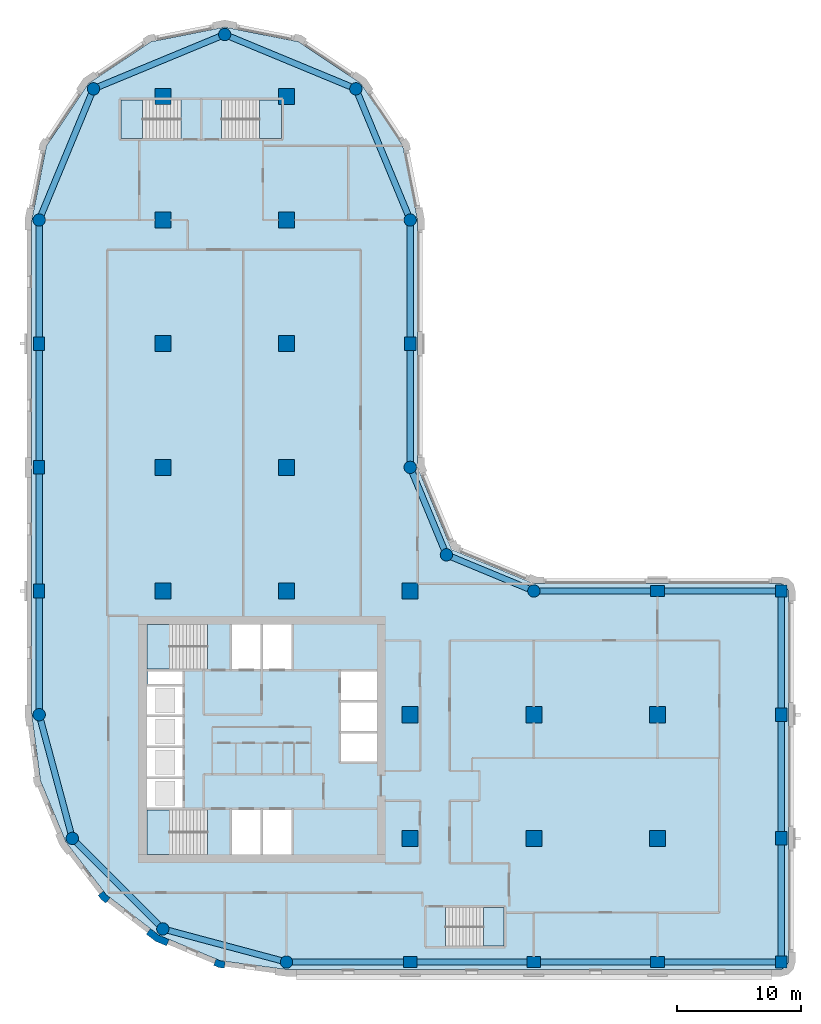
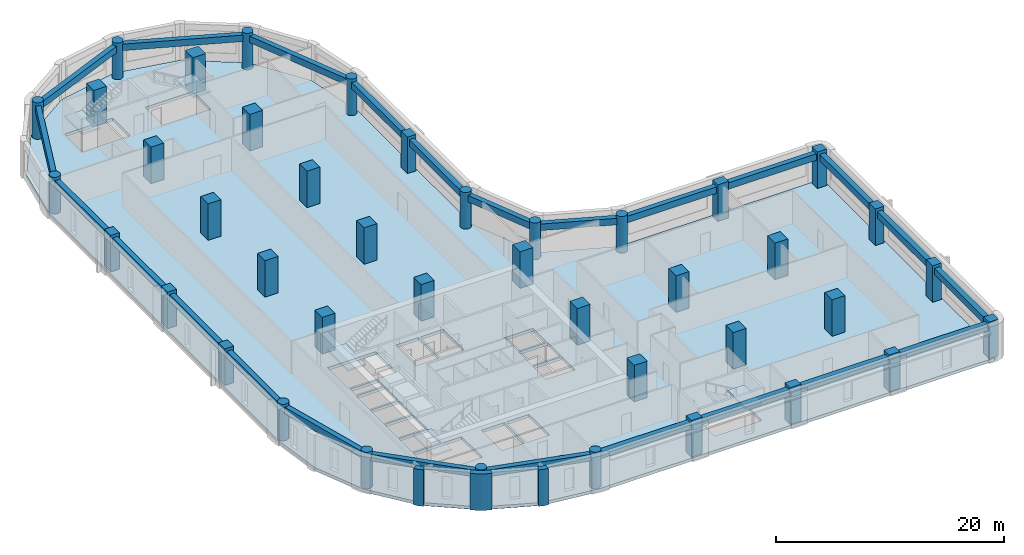
# One storey, part 1 of 9: 41 columns, 24 beams, 6 slabs, 3 walls, 5 elements without a shape of their own.
"""IFC4 building model written with IfcOpenShell, lengths in metres."""

from ifc_helpers import new_model, si_unit, direction, frame, origin, origin_2d, place, context, subcontext, project, spatial, polyline, rectangle, circle, outline, extrude, material, layer, layer_set, material_profile, profile_set, type_object, element, aggregate, save


model = new_model("IFC4")

# Units and contexts
model_context = context("Model", 3, precision=1e-05, world=origin(), true_north=direction((0.0, 1.0)))
body_context = subcontext(model_context, "Body", "Model", "MODEL_VIEW")
ifc_project = project(units=[si_unit("LENGTHUNIT", "METRE"), si_unit("AREAUNIT", "SQUARE_METRE"), si_unit("VOLUMEUNIT", "CUBIC_METRE"), si_unit("PLANEANGLEUNIT", "RADIAN"), si_unit("MASSUNIT", "GRAM", prefix="KILO")], contexts=[model_context])

# Site, building, storey
site_placement = place(None, origin())
site = spatial("IfcSite", under=ifc_project, at=site_placement, CompositionType="ELEMENT")
building_placement = place(site_placement, origin())
building = spatial("IfcBuilding", under=site, at=building_placement, Name="Qaws Garden Tower", CompositionType="ELEMENT")
storey_placement = place(building_placement, frame((0.0, 0.0, 151.199951171875)))
storey = spatial("IfcBuildingStorey", under=building, at=storey_placement, Name="L36", CompositionType="ELEMENT", Elevation=151.199951171875)

# Columns
ifc_material_1 = material(Name="Concrete C70", Category="concrete")
ifc_material_profile_1 = material_profile(ifc_material_1, rectangle(XDim=1.10009765625, YDim=0.89990234375, at=origin_2d()), Name="RC 1100x900")
ifc_profile_set_1 = profile_set([ifc_material_profile_1], Name="Concrete C70")
column_type_1 = type_object("IfcColumnType", Name="Column RC 1100x900 C70", PredefinedType="COLUMN", material=ifc_profile_set_1)
for number, where, z_axis, x_axis, name in (
    (1, (30.0, 0.0, 0.0), (0.0, 0.0, 1.0), (1.0, 0.0, 0.0), "Column L36-002"),
    (2, (40.0, 0.0, 0.0), (0.0, 0.0, 1.0), (1.0, 0.0, 0.0), "Column L36-003"),
    (3, (50.0, 0.0, 0.0), (0.0, 0.0, 1.0), (1.0, 0.0, 0.0), "Column L36-004"),
    (4, (60.0, 10.0, 0.0), (0.0, 0.0, 1.0), (0.0, 1.0, 0.0), "Column L36-006"),
    (5, (60.0, 20.0, 0.0), (0.0, 0.0, 1.0), (0.0, 1.0, 0.0), "Column L36-007"),
    (6, (50.0, 30.0, 0.0), (0.0, 0.0, 1.0), (1.0, 0.0, 0.0), "Column L36-009"),
    (7, (30.0, 50.0, 0.0), (0.0, 0.0, 1.0), (0.0, 1.0, 0.0), "Column L36-013"),
    (8, (0.0, 50.0, 0.0), (0.0, 0.0, 1.0), (0.0, 1.0, 0.0), "Column L36-019"),
    (9, (0.0, 40.0, 0.0), (0.0, 0.0, 1.0), (0.0, 1.0, 0.0), "Column L36-020"),
    (10, (0.0, 30.0, 0.0), (0.0, 0.0, 1.0), (0.0, 1.0, 0.0), "Column L36-021"),
):
    element("IfcColumn", number, at=place(storey_placement, frame(where, z_axis=z_axis, x_axis=x_axis)), inside=storey, type_object=column_type_1, Name=name, PredefinedType="COLUMN", context=body_context, shape_type="SweptSolid", body=[
        extrude(rectangle(XDim=1.10009765625, YDim=0.89990234375, at=origin_2d()), origin(), (0.0, 0.0, 1.0), 3.900146484375),
    ])
ifc_material_2 = material(Name="Concrete C70", Category="concrete")
ifc_material_profile_2 = material_profile(ifc_material_2, rectangle(XDim=1.300048828125, YDim=1.300048828125, at=origin_2d()), Name="RC 1300x1300")
ifc_profile_set_2 = profile_set([ifc_material_profile_2], Name="Concrete C70")
column_type_2 = type_object("IfcColumnType", Name="Column RC 1300x1300 C70", PredefinedType="COLUMN", material=ifc_profile_set_2)
for number, where, z_axis, x_axis, name in (
    (11, (10.0, 30.0, 0.0), (0.0, 0.0, 1.0), (1.0, 0.0, 0.0), "Column L36-025"),
    (12, (10.0, 40.0, 0.0), (0.0, 0.0, 1.0), (1.0, 0.0, 0.0), "Column L36-026"),
    (13, (10.0, 50.0, 0.0), (0.0, 0.0, 1.0), (1.0, 0.0, 0.0), "Column L36-027"),
    (14, (10.0, 60.0, 0.0), (0.0, 0.0, 1.0), (1.0, 0.0, 0.0), "Column L36-028"),
    (15, (10.0, 70.0, 0.0), (0.0, 0.0, 1.0), (1.0, 0.0, 0.0), "Column L36-029"),
    (16, (20.0, 30.0, 0.0), (0.0, 0.0, 1.0), (1.0, 0.0, 0.0), "Column L36-030"),
    (17, (20.0, 40.0, 0.0), (0.0, 0.0, 1.0), (1.0, 0.0, 0.0), "Column L36-031"),
    (18, (20.0, 50.0, 0.0), (0.0, 0.0, 1.0), (1.0, 0.0, 0.0), "Column L36-032"),
    (19, (20.0, 60.0, 0.0), (0.0, 0.0, 1.0), (1.0, 0.0, 0.0), "Column L36-033"),
    (20, (20.0, 70.0, 0.0), (0.0, 0.0, 1.0), (1.0, 0.0, 0.0), "Column L36-034"),
    (21, (30.0, 10.0, 0.0), (0.0, 0.0, 1.0), (1.0, 0.0, 0.0), "Column L36-035"),
    (22, (30.0, 20.0, 0.0), (0.0, 0.0, 1.0), (1.0, 0.0, 0.0), "Column L36-036"),
    (23, (30.0, 30.0, 0.0), (0.0, 0.0, 1.0), (1.0, 0.0, 0.0), "Column L36-037"),
    (24, (40.0, 10.0, 0.0), (0.0, 0.0, 1.0), (1.0, 0.0, 0.0), "Column L36-038"),
    (25, (40.0, 20.0, 0.0), (0.0, 0.0, 1.0), (1.0, 0.0, 0.0), "Column L36-039"),
    (26, (50.0, 10.0, 0.0), (0.0, 0.0, 1.0), (1.0, 0.0, 0.0), "Column L36-040"),
    (27, (50.0, 20.0, 0.0), (0.0, 0.0, 1.0), (1.0, 0.0, 0.0), "Column L36-041"),
):
    element("IfcColumn", number, at=place(storey_placement, frame(where, z_axis=z_axis, x_axis=x_axis)), inside=storey, type_object=column_type_2, Name=name, PredefinedType="COLUMN", context=body_context, shape_type="SweptSolid", body=[
        extrude(rectangle(XDim=1.300048828125, YDim=1.300048828125, at=origin_2d()), origin(), (0.0, 0.0, 1.0), 3.900146484375),
    ])
ifc_material_3 = material(Name="Concrete C70", Category="concrete")
ifc_material_profile_3 = material_profile(ifc_material_3, rectangle(XDim=0.949951171875, YDim=0.949951171875, at=origin_2d()), Name="RC 950x950")
ifc_profile_set_3 = profile_set([ifc_material_profile_3], Name="Concrete C70")
column_type_3 = type_object("IfcColumnType", Name="Column RC 950x950 C70", PredefinedType="COLUMN", material=ifc_profile_set_3)
for number, where, z_axis, x_axis, name in (
    (28, (60.0, 0.0, 0.0), (0.0, 0.0, 1.0), (1.0, 0.0, 0.0), "Column L36-005"),
    (29, (60.0, 30.0, 0.0), (0.0, 0.0, 1.0), (1.0, 0.0, 0.0), "Column L36-008"),
):
    element("IfcColumn", number, at=place(storey_placement, frame(where, z_axis=z_axis, x_axis=x_axis)), inside=storey, type_object=column_type_3, Name=name, PredefinedType="COLUMN", context=body_context, shape_type="SweptSolid", body=[
        extrude(rectangle(XDim=0.949951171875, YDim=0.949951171875, at=origin_2d()), origin(), (0.0, 0.0, 1.0), 3.900146484375),
    ])
ifc_material_4 = material(Name="Concrete C70", Category="concrete")
ifc_material_profile_4 = material_profile(ifc_material_4, circle(Radius=0.5, at=origin_2d()), Name="RC D1000")
ifc_profile_set_4 = profile_set([ifc_material_profile_4], Name="Concrete C70")
column_type_4 = type_object("IfcColumnType", Name="Column RC D1000 C70", PredefinedType="COLUMN", material=ifc_profile_set_4)
for number, where, z_axis, x_axis, name in (
    (30, (20.0, 0.0, 0.0), (0.0, 0.0, 1.0), (1.0, 0.0, 0.0), "Column L36-001"),
    (31, (40.0, 30.0, 0.0), (0.0, 0.0, 1.0), (1.0, 0.0, 0.0), "Column L36-010"),
    (32, (32.928955078125, 32.928955078125, 0.0), (0.0, 0.0, 1.0), (1.0, 0.0, 0.0), "Column L36-011"),
    (33, (30.0, 40.0, 0.0), (0.0, 0.0, 1.0), (1.0, 0.0, 0.0), "Column L36-012"),
    (34, (30.0, 60.0, 0.0), (0.0, 0.0, 1.0), (1.0, 0.0, 0.0), "Column L36-014"),
    (35, (25.606689453125, 70.606689453125, 0.0), (0.0, 0.0, 1.0), (1.0, 0.0, 0.0), "Column L36-015"),
    (36, (15.0, 75.0, 0.0), (0.0, 0.0, 1.0), (1.0, 0.0, 0.0), "Column L36-016"),
    (37, (4.393310546875, 70.606689453125, 0.0), (0.0, 0.0, 1.0), (1.0, 0.0, 0.0), "Column L36-017"),
    (38, (0.0, 60.0, 0.0), (0.0, 0.0, 1.0), (1.0, 0.0, 0.0), "Column L36-018"),
    (39, (0.0, 20.0, 0.0), (0.0, 0.0, 1.0), (1.0, 0.0, 0.0), "Column L36-022"),
    (40, (2.679443359375, 10.0, 0.0), (0.0, 0.0, 1.0), (1.0, 0.0, 0.0), "Column L36-023"),
    (41, (10.0, 2.679443359375, 0.0), (0.0, 0.0, 1.0), (1.0, 0.0, 0.0), "Column L36-024"),
):
    element("IfcColumn", number, at=place(storey_placement, frame(where, z_axis=z_axis, x_axis=x_axis)), inside=storey, type_object=column_type_4, Name=name, PredefinedType="COLUMN", context=body_context, shape_type="SweptSolid", body=[
        extrude(circle(Radius=0.5, at=origin_2d()), origin(), (0.0, 0.0, 1.0), 3.900146484375),
    ])

# Beams
ifc_material_5 = material(Name="Concrete C45", Category="concrete")
ifc_material_profile_5 = material_profile(ifc_material_5, rectangle(XDim=0.5, YDim=0.699951171875, at=origin_2d()), Name="RC 500x700")
ifc_profile_set_5 = profile_set([ifc_material_profile_5], Name="Concrete C45")
beam_type = type_object("IfcBeamType", Name="Spandrel beam RC 500x700 C45", PredefinedType="SPANDREL", material=ifc_profile_set_5)
for number, where, z_axis, x_axis, name in (
    (42, (20.0, 0.0, 3.22998046875), (1.0, 0.0, 0.0), (0.0, 1.0, 0.0), "Spandrel beam L36-001"),
    (43, (30.0, 0.0, 3.22998046875), (1.0, 0.0, 0.0), (0.0, 1.0, 0.0), "Spandrel beam L36-002"),
    (44, (40.0, 0.0, 3.22998046875), (1.0, 0.0, 0.0), (0.0, 1.0, 0.0), "Spandrel beam L36-003"),
    (45, (50.0, 0.0, 3.22998046875), (1.0, 0.0, 0.0), (0.0, 1.0, 0.0), "Spandrel beam L36-004"),
    (46, (60.0, 0.0, 3.22998046875), (0.0, 1.0, 0.0), (-1.0, 0.0, 0.0), "Spandrel beam L36-005"),
    (47, (60.0, 10.0, 3.22998046875), (0.0, 1.0, 0.0), (-1.0, 0.0, 0.0), "Spandrel beam L36-006"),
    (48, (60.0, 20.0, 3.22998046875), (0.0, 1.0, 0.0), (-1.0, 0.0, 0.0), "Spandrel beam L36-007"),
    (49, (60.0, 30.0, 3.22998046875), (-1.0, 0.0, 0.0), (0.0, -1.0, 0.0), "Spandrel beam L36-008"),
    (50, (50.0, 30.0, 3.22998046875), (-1.0, 0.0, 0.0), (0.0, -1.0, 0.0), "Spandrel beam L36-009"),
):
    element("IfcBeam", number, at=place(storey_placement, frame(where, z_axis=z_axis, x_axis=x_axis)), inside=storey, type_object=beam_type, Name=name, PredefinedType="SPANDREL", context=body_context, shape_type="SweptSolid", body=[
        extrude(rectangle(XDim=0.5, YDim=0.699951171875, at=origin_2d()), origin(), (0.0, 0.0, 1.0), 10.0),
    ])
for number, where, z_axis, x_axis, name in (
    (51, (40.0, 30.0, 3.22998046875), (-0.923878037141, 0.382687042488, 0.0), (-0.382687042488, -0.923878037141, 0.0), "Spandrel beam L36-010"),
    (52, (32.928955078125, 32.928955078125, 3.22998046875), (-0.382687042488, 0.923878037141, 0.0), (-0.923878037141, -0.382687042488, 0.0), "Spandrel beam L36-011"),
):
    element("IfcBeam", number, at=place(storey_placement, frame(where, z_axis=z_axis, x_axis=x_axis)), inside=storey, type_object=beam_type, Name=name, PredefinedType="SPANDREL", context=body_context, shape_type="SweptSolid", body=[
        extrude(rectangle(XDim=0.5, YDim=0.699951171875, at=origin_2d()), origin(), (0.0, 0.0, 1.0), 7.653564453125),
    ])
for number, where, z_axis, x_axis, name in (
    (53, (30.0, 40.0, 3.22998046875), (0.0, 1.0, 0.0), (-1.0, 0.0, 0.0), "Spandrel beam L36-012"),
    (54, (30.0, 50.0, 3.22998046875), (0.0, 1.0, 0.0), (-1.0, 0.0, 0.0), "Spandrel beam L36-013"),
):
    element("IfcBeam", number, at=place(storey_placement, frame(where, z_axis=z_axis, x_axis=x_axis)), inside=storey, type_object=beam_type, Name=name, PredefinedType="SPANDREL", context=body_context, shape_type="SweptSolid", body=[
        extrude(rectangle(XDim=0.5, YDim=0.699951171875, at=origin_2d()), origin(), (0.0, 0.0, 1.0), 10.0),
    ])
for number, where, z_axis, x_axis, name in (
    (55, (30.0, 60.0, 3.22998046875), (-0.382674207535, 0.923883353507, 0.0), (-0.923883353507, -0.382674207535, 0.0), "Spandrel beam L36-014"),
    (56, (25.606689453125, 70.606689453125, 3.22998046875), (-0.923883353507, 0.382674207535, 0.0), (-0.382674207535, -0.923883353507, 0.0), "Spandrel beam L36-015"),
    (57, (15.0, 75.0, 3.22998046875), (-0.923883353507, -0.382674207535, 0.0), (0.382674207535, -0.923883353507, 0.0), "Spandrel beam L36-016"),
    (58, (4.393310546875, 70.606689453125, 3.22998046875), (-0.382674207535, -0.923883353507, 0.0), (0.923883353507, -0.382674207535, 0.0), "Spandrel beam L36-017"),
):
    element("IfcBeam", number, at=place(storey_placement, frame(where, z_axis=z_axis, x_axis=x_axis)), inside=storey, type_object=beam_type, Name=name, PredefinedType="SPANDREL", context=body_context, shape_type="SweptSolid", body=[
        extrude(rectangle(XDim=0.5, YDim=0.699951171875, at=origin_2d()), origin(), (0.0, 0.0, 1.0), 11.48046875),
    ])
for number, where, z_axis, x_axis, name in (
    (59, (0.0, 60.0, 3.22998046875), (0.0, -1.0, 0.0), (1.0, 0.0, 0.0), "Spandrel beam L36-018"),
    (60, (0.0, 50.0, 3.22998046875), (0.0, -1.0, 0.0), (1.0, 0.0, 0.0), "Spandrel beam L36-019"),
    (61, (0.0, 40.0, 3.22998046875), (0.0, -1.0, 0.0), (1.0, 0.0, 0.0), "Spandrel beam L36-020"),
    (62, (0.0, 30.0, 3.22998046875), (0.0, -1.0, 0.0), (1.0, 0.0, 0.0), "Spandrel beam L36-021"),
):
    element("IfcBeam", number, at=place(storey_placement, frame(where, z_axis=z_axis, x_axis=x_axis)), inside=storey, type_object=beam_type, Name=name, PredefinedType="SPANDREL", context=body_context, shape_type="SweptSolid", body=[
        extrude(rectangle(XDim=0.5, YDim=0.699951171875, at=origin_2d()), origin(), (0.0, 0.0, 1.0), 10.0),
    ])
for number, where, z_axis, x_axis, name in (
    (63, (0.0, 20.0, 3.22998046875), (0.25881466832, -0.965926999034, 0.0), (0.965926999034, 0.25881466832, 0.0), "Spandrel beam L36-022"),
    (64, (2.679443359375, 10.0, 3.22998046875), (0.707106781187, -0.707106781187, 0.0), (0.707106781187, 0.707106781187, 0.0), "Spandrel beam L36-023"),
    (65, (10.0, 2.679443359375, 3.22998046875), (0.965926999034, -0.25881466832, 0.0), (0.25881466832, 0.965926999034, 0.0), "Spandrel beam L36-024"),
):
    element("IfcBeam", number, at=place(storey_placement, frame(where, z_axis=z_axis, x_axis=x_axis)), inside=storey, type_object=beam_type, Name=name, PredefinedType="SPANDREL", context=body_context, shape_type="SweptSolid", body=[
        extrude(rectangle(XDim=0.5, YDim=0.699951171875, at=origin_2d()), origin(), (0.0, 0.0, 1.0), 10.352783203125),
    ])

# Slab
ifc_material_6 = material(Name="Concrete C40", Category="concrete")
ifc_layer_1 = layer(ifc_material_6, 0.320068359375)
ifc_layer_set_1 = layer_set([ifc_layer_1], Name="Concrete C40")
slab_type_1 = type_object("IfcSlabType", Name="Floor slab 320 C40", PredefinedType="FLOOR", material=ifc_layer_set_1)
slab_1_placement = place(storey_placement, frame((0.0, 0.0, -0.320068359375)))
element("IfcSlab", 66, at=slab_1_placement, inside=storey, type_object=slab_type_1, Name="Floor slab L36", PredefinedType="FLOOR", context=body_context, shape_type="SweptSolid", body=[
    extrude(outline(polyline([(0.101806640625, 14.668212890625), (-0.60009765625, 20.0), (-0.60009765625, 30.60009765625), (-0.60009765625, 60.0), (-0.60009765625, 60.0), (0.58740234375, 65.969970703125), (3.968994140625, 71.031005859375), (9.030029296875, 74.41259765625), (15.0, 75.60009765625), (20.969970703125, 74.41259765625), (26.031005859375, 71.031005859375), (29.41259765625, 65.969970703125), (30.60009765625, 60.0), (30.60009765625, 40.0), (33.353271484375, 33.353271484375), (40.0, 30.60009765625), (60.0, 30.60009765625), (60.42431640625, 30.42431640625), (60.60009765625, 30.0), (60.60009765625, 0.0), (60.42431640625, -0.42431640625), (60.0, -0.60009765625), (30.60009765625, -0.60009765625), (20.0, -0.60009765625), (14.668212890625, 0.101806640625), (9.699951171875, 2.159912109375), (5.43359375, 5.43359375), (2.159912109375, 9.699951171875), (0.101806640625, 14.668212890625)]), holes=[polyline([(13.599609375, 12.300048828125), (8.699951171875, 12.300048828125), (8.699951171875, 8.699951171875), (13.599609375, 8.699951171875), (13.599609375, 12.300048828125)]), polyline([(17.89990234375, 12.300048828125), (15.60009765625, 12.300048828125), (15.60009765625, 8.699951171875), (17.89990234375, 8.699951171875), (17.89990234375, 12.300048828125)]), polyline([(11.60009765625, 14.800048828125), (8.699951171875, 14.800048828125), (8.699951171875, 12.5), (11.60009765625, 12.5), (11.60009765625, 14.800048828125)]), polyline([(11.60009765625, 17.300048828125), (8.699951171875, 17.300048828125), (8.699951171875, 15.0), (11.60009765625, 15.0), (11.60009765625, 17.300048828125)]), polyline([(11.60009765625, 19.800048828125), (8.699951171875, 19.800048828125), (8.699951171875, 17.5), (11.60009765625, 17.5), (11.60009765625, 19.800048828125)]), polyline([(11.60009765625, 22.300048828125), (8.699951171875, 22.300048828125), (8.699951171875, 20.0), (11.60009765625, 20.0), (11.60009765625, 22.300048828125)]), polyline([(11.60009765625, 23.5), (8.800048828125, 23.5), (8.800048828125, 22.5), (11.60009765625, 22.5), (11.60009765625, 23.5)]), polyline([(13.599609375, 27.300048828125), (8.699951171875, 27.300048828125), (8.699951171875, 23.699951171875), (13.599609375, 23.699951171875), (13.599609375, 27.300048828125)]), polyline([(11.449462890625, 69.699951171875), (6.60009765625, 69.699951171875), (6.60009765625, 66.60009765625), (11.449462890625, 66.60009765625), (11.449462890625, 69.699951171875)]), polyline([(37.60009765625, 4.39990234375), (32.8505859375, 4.39990234375), (32.8505859375, 1.300048828125), (37.60009765625, 1.300048828125), (37.60009765625, 4.39990234375)]), polyline([(20.39990234375, 12.300048828125), (18.10009765625, 12.300048828125), (18.10009765625, 8.699951171875), (20.39990234375, 8.699951171875), (20.39990234375, 12.300048828125)]), polyline([(27.300048828125, 18.5), (24.39990234375, 18.5), (24.39990234375, 16.199951171875), (27.300048828125, 16.199951171875), (27.300048828125, 18.5)]), polyline([(27.300048828125, 21.0), (24.39990234375, 21.0), (24.39990234375, 18.699951171875), (27.300048828125, 18.699951171875), (27.300048828125, 21.0)]), polyline([(27.300048828125, 23.5), (24.39990234375, 23.5), (24.39990234375, 21.199951171875), (27.300048828125, 21.199951171875), (27.300048828125, 23.5)]), polyline([(17.89990234375, 27.300048828125), (15.60009765625, 27.300048828125), (15.60009765625, 23.699951171875), (17.89990234375, 23.699951171875), (17.89990234375, 27.300048828125)]), polyline([(20.39990234375, 23.699951171875), (20.39990234375, 27.300048828125), (18.10009765625, 27.300048828125), (18.10009765625, 23.699951171875), (20.39990234375, 23.699951171875)]), polyline([(19.60009765625, 66.60009765625), (19.60009765625, 69.699951171875), (14.75048828125, 69.699951171875), (14.75048828125, 66.60009765625), (19.60009765625, 66.60009765625)])]), origin(), (0.0, 0.0, 1.0), 0.320068359375),
])

# Stair, slab
ifc_material_7 = material(Name="Concrete C40", Category="concrete")
stair_type_1 = type_object("IfcStairType", Name="Exit stair 1500", PredefinedType="HALF_TURN_STAIR", material=ifc_material_7)
placement_1 = place(storey_placement, origin())
stair_1 = element("IfcStair", 67, at=placement_1, inside=storey, type_object=stair_type_1, Name="Stair 1", PredefinedType="HALF_TURN_STAIR")
ifc_material_8 = material(Name="Concrete C40", Category="concrete")
ifc_layer_2 = layer(ifc_material_8, 0.199951171875)
ifc_layer_set_2 = layer_set([ifc_layer_2], Name="Concrete C40")
slab_type_2 = type_object("IfcSlabType", Name="Stair landing 200", PredefinedType="LANDING", material=ifc_layer_set_2)
placement_2 = place(storey_placement, frame((0.0, 0.0, 1.75)))
slab_2 = element("IfcSlab", 68, at=placement_2, type_object=slab_type_2, Name="ST1 landing 1", PredefinedType="LANDING", context=body_context, shape_type="SweptSolid", body=[
    extrude(outline(polyline([(8.699951171875, 8.699951171875), (10.52001953125, 8.699951171875), (10.52001953125, 12.300048828125), (8.699951171875, 12.300048828125), (8.699951171875, 8.699951171875)])), origin(), (0.0, 0.0, 1.0), 0.199951171875),
])
aggregate(stair_1, [slab_2])

stair_2 = element("IfcStair", 69, at=placement_1, inside=storey, type_object=stair_type_1, Name="Stair 4", PredefinedType="HALF_TURN_STAIR")
slab_3 = element("IfcSlab", 70, at=placement_2, type_object=slab_type_2, Name="ST4 landing 1", PredefinedType="LANDING", context=body_context, shape_type="SweptSolid", body=[
    extrude(outline(polyline([(8.699951171875, 23.699951171875), (10.52001953125, 23.699951171875), (10.52001953125, 27.300048828125), (8.699951171875, 27.300048828125), (8.699951171875, 23.699951171875)])), origin(), (0.0, 0.0, 1.0), 0.199951171875),
])
aggregate(stair_2, [slab_3])

ifc_material_9 = material(Name="Concrete C40", Category="concrete")
stair_type_2 = type_object("IfcStairType", Name="Exit stair 1350", PredefinedType="HALF_TURN_STAIR", material=ifc_material_9)
stair_3 = element("IfcStair", 71, at=placement_1, inside=storey, type_object=stair_type_2, Name="Stair 5", PredefinedType="HALF_TURN_STAIR")
slab_4 = element("IfcSlab", 72, at=placement_2, type_object=slab_type_2, Name="ST5 landing 1", PredefinedType="LANDING", context=body_context, shape_type="SweptSolid", body=[
    extrude(outline(polyline([(35.929931640625, 1.300048828125), (37.60009765625, 1.300048828125), (37.60009765625, 4.39990234375), (35.929931640625, 4.39990234375), (35.929931640625, 1.300048828125)])), origin(), (0.0, 0.0, 1.0), 0.199951171875),
])
aggregate(stair_3, [slab_4])

stair_4 = element("IfcStair", 73, at=placement_1, inside=storey, type_object=stair_type_2, Name="Stair 6", PredefinedType="HALF_TURN_STAIR")
slab_5 = element("IfcSlab", 74, at=placement_2, type_object=slab_type_2, Name="ST6 landing 1", PredefinedType="LANDING", context=body_context, shape_type="SweptSolid", body=[
    extrude(outline(polyline([(6.60009765625, 66.60009765625), (8.3701171875, 66.60009765625), (8.3701171875, 69.699951171875), (6.60009765625, 69.699951171875), (6.60009765625, 66.60009765625)])), origin(), (0.0, 0.0, 1.0), 0.199951171875),
])
aggregate(stair_4, [slab_5])

stair_5 = element("IfcStair", 75, at=placement_1, inside=storey, type_object=stair_type_2, Name="Stair 7", PredefinedType="HALF_TURN_STAIR")
slab_6 = element("IfcSlab", 76, at=placement_2, type_object=slab_type_2, Name="ST7 landing 1", PredefinedType="LANDING", context=body_context, shape_type="SweptSolid", body=[
    extrude(outline(polyline([(17.830078125, 66.60009765625), (19.60009765625, 66.60009765625), (19.60009765625, 69.699951171875), (17.830078125, 69.699951171875), (17.830078125, 66.60009765625)])), origin(), (0.0, 0.0, 1.0), 0.199951171875),
])
aggregate(stair_5, [slab_6])

# Walls
ifc_material_10 = material(Name="Clay facing brick masonry", Category="masonry")
ifc_layer_3 = layer(ifc_material_10, 0.550048828125)
ifc_layer_set_3 = layer_set([ifc_layer_3], Name="Clay facing brick masonry")
wall_type_1 = type_object("IfcWallType", Name="Brick kink pier 550 x 600", PredefinedType="SOLIDWALL", material=ifc_layer_set_3)
element("IfcWall", 77, at=placement_1, inside=storey, type_object=wall_type_1, Name="E-L36-pier-28", PredefinedType="SOLIDWALL", context=body_context, shape_type="SweptSolid", body=[
    extrude(outline(polyline([(4.8818359375, 5.487060546875), (4.762939453125, 5.395751953125), (5.03759765625, 5.03759765625), (5.395751953125, 4.762939453125), (5.487060546875, 4.8818359375), (5.730712890625, 5.19921875), (5.429931640625, 5.429931640625), (5.19921875, 5.730712890625), (4.8818359375, 5.487060546875)])), origin(), (0.0, 0.0, 1.0), 3.900146484375),
])
element("IfcWall", 78, at=placement_1, inside=storey, type_object=wall_type_1, Name="E-L36-pier-30", PredefinedType="SOLIDWALL", context=body_context, shape_type="SweptSolid", body=[
    extrude(outline(polyline([(14.163818359375, -0.127685546875), (14.1064453125, -0.26611328125), (14.5234375, -0.43896484375), (14.970947265625, -0.497802734375), (14.990478515625, -0.34912109375), (15.042724609375, 0.04736328125), (14.6669921875, 0.096923828125), (14.31689453125, 0.241943359375), (14.163818359375, -0.127685546875)])), origin(), (0.0, 0.0, 1.0), 3.900146484375),
])
ifc_material_11 = material(Name="Clay facing brick masonry", Category="masonry")
ifc_layer_4 = layer(ifc_material_11, 0.550048828125)
ifc_layer_set_4 = layer_set([ifc_layer_4], Name="Clay facing brick masonry")
wall_type_2 = type_object("IfcWallType", Name="Brick pier 550 x 1600", PredefinedType="SOLIDWALL", material=ifc_layer_set_4)
element("IfcWall", 79, at=placement_1, inside=storey, type_object=wall_type_2, Name="E-L36-pier-29", PredefinedType="SOLIDWALL", context=body_context, shape_type="SweptSolid", body=[
    extrude(outline(polyline([(8.756591796875, 2.373046875), (8.665283203125, 2.254150390625), (9.419921875, 1.675048828125), (10.299072265625, 1.310791015625), (10.3564453125, 1.449462890625), (10.509521484375, 1.819091796875), (9.697509765625, 2.1552734375), (9.0, 2.6904296875), (8.756591796875, 2.373046875)])), origin(), (0.0, 0.0, 1.0), 3.900146484375),
])

save(model, "model.ifc")
